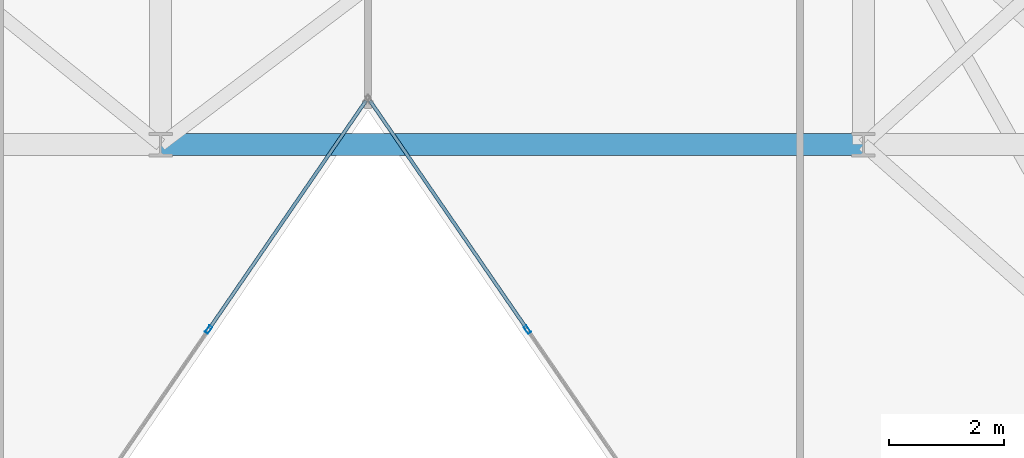
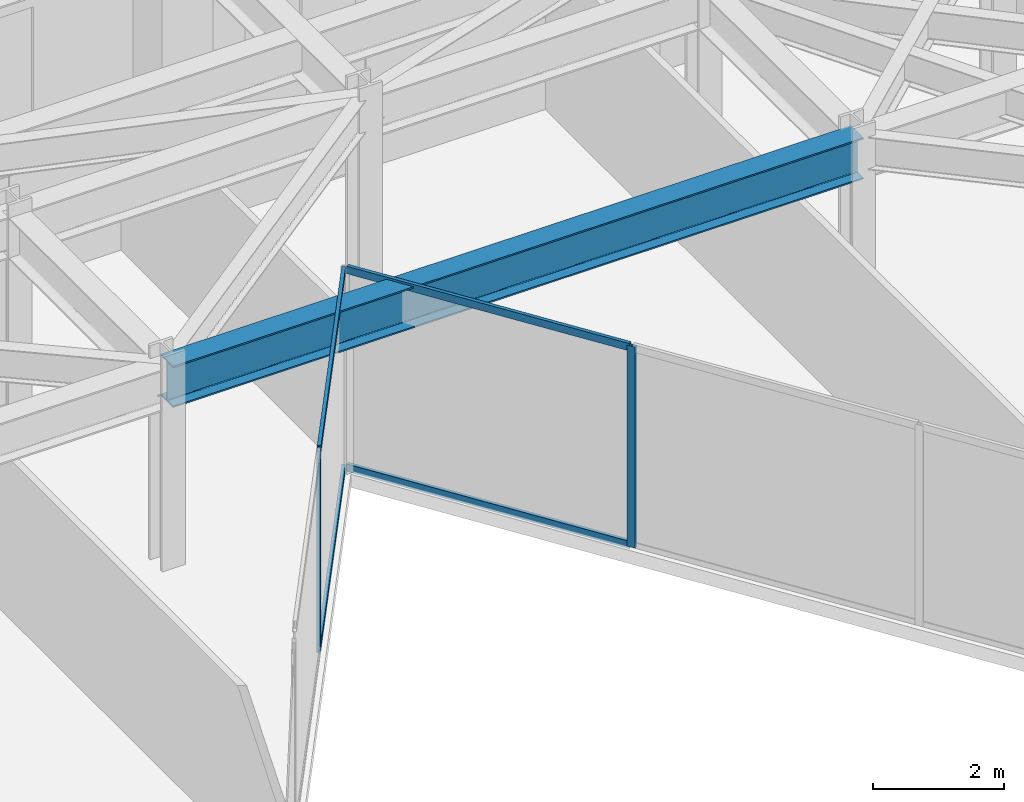
# One storey, part 8 of 26: 6 members, 1 beam, 2 elements without a shape of their own.
"""IFC4 building model written with IfcOpenShell, lengths in metres."""

from ifc_helpers import new_model, si_unit, direction, frame, origin, origin_2d, place, context, subcontext, project, spatial, hollow_rectangle, i_section, extrude, material, layer, layer_set, material_profile, profile_set, type_object, element, aggregate, save


model = new_model("IFC4")

# Units and contexts
model_context = context("Model", 3, precision=1e-05, world=origin(), true_north=direction((0.0, 1.0)))
body_context = subcontext(model_context, "Body", "Model", "MODEL_VIEW")
ifc_project = project(units=[si_unit("LENGTHUNIT", "METRE"), si_unit("AREAUNIT", "SQUARE_METRE"), si_unit("VOLUMEUNIT", "CUBIC_METRE"), si_unit("PLANEANGLEUNIT", "RADIAN"), si_unit("MASSUNIT", "GRAM", prefix="KILO")], contexts=[model_context])

# Site, building, storey
site_placement = place(None, origin())
site = spatial("IfcSite", under=ifc_project, at=site_placement, CompositionType="ELEMENT")
building_placement = place(site_placement, origin())
building = spatial("IfcBuilding", under=site, at=building_placement, Name="Kravanh Interchange Tower", CompositionType="ELEMENT")
storey_placement = place(building_placement, frame((0.0, 0.0, 180.5)))
storey = spatial("IfcBuildingStorey", under=building, at=storey_placement, Name="L43", CompositionType="ELEMENT", Elevation=180.5)

# Curtain wall, member
ifc_material_1 = material(Name="Anodised Bronze Aluminium", Category="aluminium")
ifc_layer = layer(ifc_material_1, 0.179931640625)
ifc_layer_set = layer_set([ifc_layer], Name="Unitised Curtain Wall System CW-Z3 Upper Office")
curtain_wall_type = type_object("IfcCurtainWallType", Name="Unitised Curtain Wall System CW-Z3 Upper Office", PredefinedType="NOTDEFINED", material=ifc_layer_set)
curtain_wall_1_placement = place(storey_placement, origin())
curtain_wall_1 = element("IfcCurtainWall", 1, at=curtain_wall_1_placement, inside=storey, type_object=curtain_wall_type, Name="L43 Unitised Curtain Wall CW-L43-04", PredefinedType="NOTDEFINED")
ifc_material_2 = material(Name="Anodised Bronze Aluminium", Category="aluminium")
ifc_material_profile_1 = material_profile(ifc_material_2, hollow_rectangle(XDim=0.06005859375, YDim=0.139892578125, WallThickness=0.00390625, at=origin_2d()), Name="ALU60X140X4")
ifc_profile_set_1 = profile_set([ifc_material_profile_1], Name="Anodised Bronze Aluminium")
member_type_1 = type_object("IfcMemberType", Name="Curtain Wall Mullion ALU60X140X4 Bronze", PredefinedType="MULLION", material=ifc_profile_set_1)
member_1_placement = place(storey_placement, frame((44.9658203125, 23.5888671875, 0.0), z_axis=(0.0, 0.0, 1.0), x_axis=(-0.824042223035, -0.566528388217, 0.0)))
member_1 = element("IfcMember", 2, at=member_1_placement, type_object=member_type_1, Name="CW-Z3 mullion 4", PredefinedType="MULLION", context=body_context, shape_type="SweptSolid", body=[
    extrude(hollow_rectangle(XDim=0.06005859375, YDim=0.139892578125, WallThickness=0.00390625, at=origin_2d()), origin(), (0.0, 0.0, 1.0), 3.7548828125),
])

curtain_wall_2_placement = place(storey_placement, origin())
curtain_wall_2 = element("IfcCurtainWall", 3, at=curtain_wall_2_placement, inside=storey, type_object=curtain_wall_type, Name="L43 Unitised Curtain Wall CW-L43-05", PredefinedType="NOTDEFINED")
member_2_placement = place(storey_placement, frame((39.434326171875, 23.5888671875, 0.0), z_axis=(0.0, 0.0, 1.0), x_axis=(0.824042223035, -0.566528388217, 0.0)))
member_2 = element("IfcMember", 4, at=member_2_placement, type_object=member_type_1, Name="CW-Z3 mullion 2", PredefinedType="MULLION", context=body_context, shape_type="SweptSolid", body=[
    extrude(hollow_rectangle(XDim=0.06005859375, YDim=0.139892578125, WallThickness=0.00390625, at=origin_2d()), origin(), (0.0, 0.0, 1.0), 3.7548828125),
])

# Member
ifc_material_3 = material(Name="Anodised Bronze Aluminium", Category="aluminium")
ifc_material_profile_2 = material_profile(ifc_material_3, hollow_rectangle(XDim=0.06005859375, YDim=0.139892578125, WallThickness=0.00390625, at=origin_2d()), Name="ALU60X140X4")
ifc_profile_set_2 = profile_set([ifc_material_profile_2], Name="Anodised Bronze Aluminium")
member_type_2 = type_object("IfcMemberType", Name="Curtain Wall Transom ALU60X140X4 Bronze", PredefinedType="USERDEFINED", material=ifc_profile_set_2)
member_3_placement = place(storey_placement, frame((44.94873046875, 23.613525390625, 0.030029296875), z_axis=(-0.566541796314, 0.824033004818, 0.0), x_axis=(-0.824033004818, -0.566541796314, 0.0)))
member_3 = element("IfcMember", 5, at=member_3_placement, type_object=member_type_2, Name="CW-Z3 transom 4.1", ObjectType="TRANSOM", PredefinedType="USERDEFINED", context=body_context, shape_type="SweptSolid", body=[
    extrude(hollow_rectangle(XDim=0.06005859375, YDim=0.139892578125, WallThickness=0.00390625, at=origin_2d()), origin(), (0.0, 0.0, 1.0), 4.7919921875),
])

member_4_placement = place(storey_placement, frame((44.94873046875, 23.613525390625, 3.72509765625), z_axis=(-0.566541796314, 0.824033004818, 0.0), x_axis=(-0.824033004818, -0.566541796314, 0.0)))
member_4 = element("IfcMember", 6, at=member_4_placement, type_object=member_type_2, Name="CW-Z3 transom 4.2", ObjectType="TRANSOM", PredefinedType="USERDEFINED", context=body_context, shape_type="SweptSolid", body=[
    extrude(hollow_rectangle(XDim=0.06005859375, YDim=0.139892578125, WallThickness=0.00390625, at=origin_2d()), origin(), (0.0, 0.0, 1.0), 4.7919921875),
])

aggregate(curtain_wall_1, [member_1, member_3, member_4])

member_5_placement = place(storey_placement, frame((42.166015625, 27.562255859375, 0.030029296875), z_axis=(-0.566541796314, -0.824033004818, 0.0), x_axis=(0.824033004818, -0.566541796314, 0.0)))
member_5 = element("IfcMember", 7, at=member_5_placement, type_object=member_type_2, Name="CW-Z3 transom 1.1", ObjectType="TRANSOM", PredefinedType="USERDEFINED", context=body_context, shape_type="SweptSolid", body=[
    extrude(hollow_rectangle(XDim=0.06005859375, YDim=0.139892578125, WallThickness=0.00390625, at=origin_2d()), origin(), (0.0, 0.0, 1.0), 4.7919921875),
])

member_6_placement = place(storey_placement, frame((42.166015625, 27.562255859375, 3.72509765625), z_axis=(-0.566541796314, -0.824033004818, 0.0), x_axis=(0.824033004818, -0.566541796314, 0.0)))
member_6 = element("IfcMember", 8, at=member_6_placement, type_object=member_type_2, Name="CW-Z3 transom 1.2", ObjectType="TRANSOM", PredefinedType="USERDEFINED", context=body_context, shape_type="SweptSolid", body=[
    extrude(hollow_rectangle(XDim=0.06005859375, YDim=0.139892578125, WallThickness=0.00390625, at=origin_2d()), origin(), (0.0, 0.0, 1.0), 4.7919921875),
])

aggregate(curtain_wall_2, [member_2, member_5, member_6])

# Beam
ifc_material_4 = material(Name="Structural Steel S355", Category="steel")
ifc_material_profile_3 = material_profile(ifc_material_4, i_section(OverallWidth=0.381103515625, OverallDepth=0.77294921875, WebThickness=0.0166015625, FlangeThickness=0.027099609375, FilletRadius=0.02490234375, at=origin_2d()), Name="W30X173")
ifc_profile_set_3 = profile_set([ifc_material_profile_3], Name="Structural Steel S355")
beam_type = type_object("IfcBeamType", Name="Floor Beam W30X173 Structural Steel S355", PredefinedType="BEAM", material=ifc_profile_set_3)
beam_placement = place(storey_placement, frame((38.60009765625, 26.800048828125, 3.368408203125), z_axis=(1.0, 0.0, 0.0), x_axis=(0.0, 1.0, 0.0)))
element("IfcBeam", 9, at=beam_placement, inside=storey, type_object=beam_type, Name="L43 Primary Floor Girder 48", PredefinedType="BEAM", context=body_context, shape_type="SweptSolid", body=[
    extrude(i_section(OverallWidth=0.381103515625, OverallDepth=0.77294921875, WebThickness=0.0166015625, FlangeThickness=0.027099609375, FilletRadius=0.02490234375, at=origin_2d()), origin(), (0.0, 0.0, 1.0), 12.199951171875),
])

save(model, "model.ifc")
